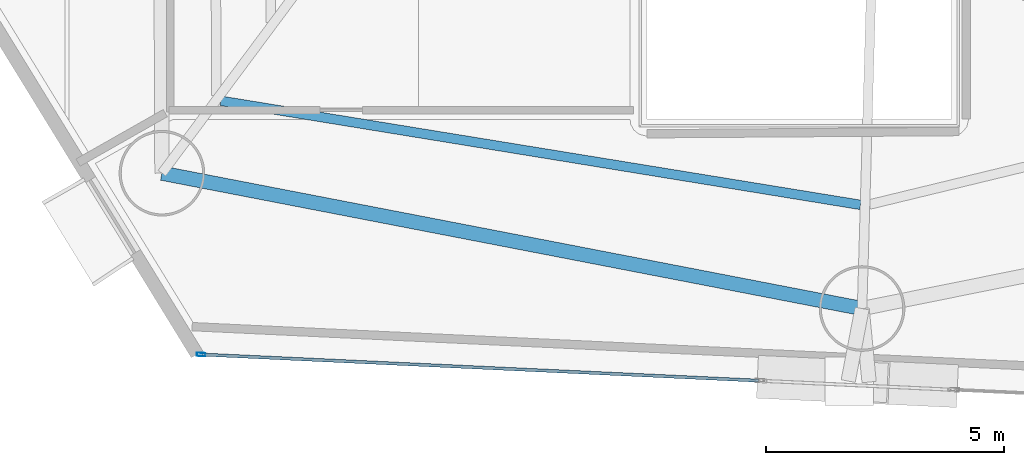
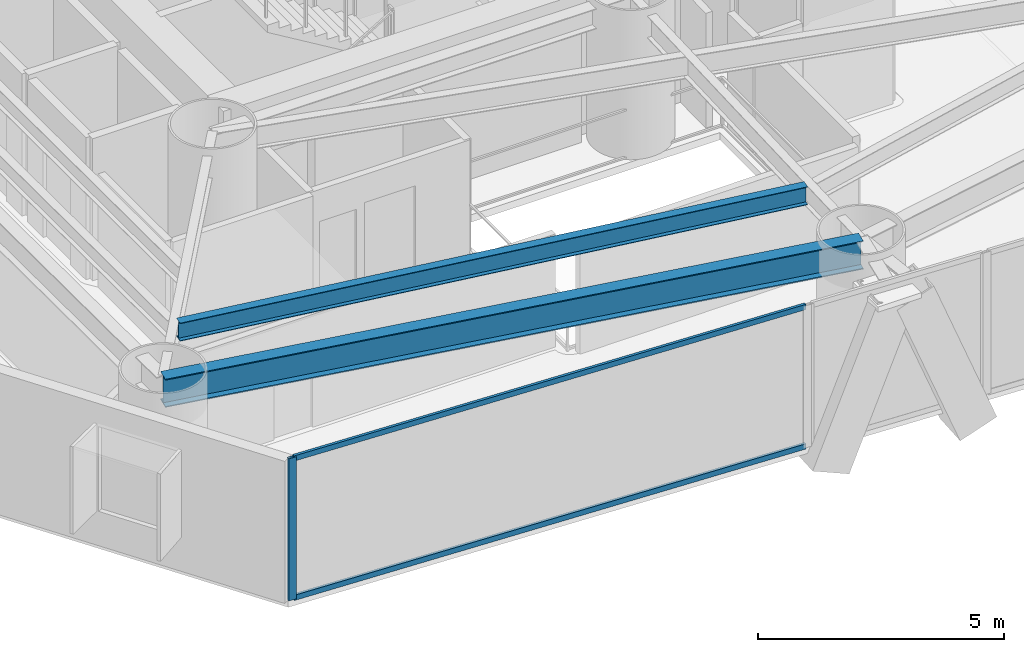
# One storey, part 2 of 23: 3 members, 2 beams, 1 element without a shape of its own.
"""IFC4 building model written with IfcOpenShell, lengths in metres."""

from ifc_helpers import new_model, si_unit, direction, frame, origin, origin_2d, place, context, subcontext, project, spatial, hollow_rectangle, i_section, extrude, material, layer, layer_set, material_profile, profile_set, type_object, element, aggregate, save


model = new_model("IFC4")

# Units and contexts
model_context = context("Model", 3, precision=1e-05, world=origin(), true_north=direction((0.0, 1.0)))
body_context = subcontext(model_context, "Body", "Model", "MODEL_VIEW")
ifc_project = project(units=[si_unit("LENGTHUNIT", "METRE"), si_unit("AREAUNIT", "SQUARE_METRE"), si_unit("VOLUMEUNIT", "CUBIC_METRE"), si_unit("PLANEANGLEUNIT", "RADIAN"), si_unit("MASSUNIT", "GRAM", prefix="KILO")], contexts=[model_context])

# Site, building, storey
site_placement = place(None, origin())
site = spatial("IfcSite", under=ifc_project, at=site_placement, CompositionType="ELEMENT")
building_placement = place(site_placement, origin())
building = spatial("IfcBuilding", under=site, at=building_placement, Name="Qianvela Tower", CompositionType="ELEMENT")
storey_placement = place(building_placement, frame((0.0, 0.0, 29.39990234375)))
storey = spatial("IfcBuildingStorey", under=building, at=storey_placement, Name="L06", CompositionType="ELEMENT", Elevation=29.39990234375)

# Beams
ifc_material_1 = material(Name="Steel Q355B", Category="steel")
ifc_material_profile_1 = material_profile(ifc_material_1, i_section(OverallWidth=0.199951171875, OverallDepth=0.449951171875, WebThickness=0.009033203125, FlangeThickness=0.013916015625, at=origin_2d()), Name="HN450x200x9x14")
ifc_profile_set_1 = profile_set([ifc_material_profile_1], Name="Steel Q355B")
beam_type_1 = type_object("IfcBeamType", Name="BM-HN450-JOIST", PredefinedType="JOIST", material=ifc_profile_set_1)
beam_1_placement = place(storey_placement, frame((24.641845703125, 18.38232421875, 3.293212890625), z_axis=(0.987021609832, -0.160587489316, 0.0), x_axis=(0.160587489316, 0.987021609832, 0.0)))
element("IfcBeam", 1, at=beam_1_placement, inside=storey, type_object=beam_type_1, Name="L06 Secondary Composite Floor Joist 5.3", PredefinedType="JOIST", context=body_context, shape_type="SweptSolid", body=[
    extrude(i_section(OverallWidth=0.199951171875, OverallDepth=0.449951171875, WebThickness=0.009033203125, FlangeThickness=0.013916015625, at=origin_2d()), origin(), (0.0, 0.0, 1.0), 13.621826171875),
])
ifc_material_2 = material(Name="Steel Q355B", Category="steel")
ifc_material_profile_2 = material_profile(ifc_material_2, i_section(OverallWidth=0.300048828125, OverallDepth=0.699951171875, WebThickness=0.012939453125, FlangeThickness=0.02392578125, at=origin_2d()), Name="HN700x300x13x24")
ifc_profile_set_2 = profile_set([ifc_material_profile_2], Name="Steel Q355B")
beam_type_2 = type_object("IfcBeamType", Name="BM-HN700-SPAND", PredefinedType="SPANDREL", material=ifc_profile_set_2)
beam_2_placement = place(storey_placement, frame((23.404052734375, 16.860107421875, 3.168212890625), z_axis=(0.981833040292, -0.189746886646, 0.0), x_axis=(0.189746886646, 0.981833040292, 0.0)))
element("IfcBeam", 2, at=beam_2_placement, inside=storey, type_object=beam_type_2, Name="L06 Perimeter Ring Spandrel Girder 5", PredefinedType="SPANDREL", context=body_context, shape_type="SweptSolid", body=[
    extrude(i_section(OverallWidth=0.300048828125, OverallDepth=0.699951171875, WebThickness=0.012939453125, FlangeThickness=0.02392578125, at=origin_2d()), origin(), (0.0, 0.0, 1.0), 14.98828125),
])

# Curtain wall, members
ifc_material_3 = material(Name="Anodised Architectural Aluminium and Low-E Glass", Category="aluminium")
ifc_layer = layer(ifc_material_3, 0.179931640625)
ifc_layer_set = layer_set([ifc_layer], Name="Anodised Architectural Aluminium and Low-E Glass")
curtain_wall_type = type_object("IfcCurtainWallType", Name="CW-COLIV-Z12", PredefinedType="USERDEFINED", material=ifc_layer_set)
curtain_wall_placement = place(storey_placement, origin())
curtain_wall = element("IfcCurtainWall", 3, at=curtain_wall_placement, inside=storey, type_object=curtain_wall_type, Name="L06 CW-COLIV-Z12 Curtain Wall 06A", ObjectType="CURTAIN_WALL_SYSTEM", PredefinedType="USERDEFINED")
ifc_material_4 = material(Name="Anodised Architectural Aluminium 6063-T6", Category="aluminium")
ifc_material_profile_3 = material_profile(ifc_material_4, hollow_rectangle(XDim=0.070068359375, YDim=0.179931640625, WallThickness=0.0048828125, at=origin_2d()), Name="ALU-MULL-70x180")
ifc_profile_set_3 = profile_set([ifc_material_profile_3], Name="Anodised Architectural Aluminium 6063-T6")
member_type_1 = type_object("IfcMemberType", Name="CW-COLIV-Z12-MULL", PredefinedType="MULLION", material=ifc_profile_set_3)
member_1_placement = place(storey_placement, frame((24.226318359375, 13.050048828125, 0.0), z_axis=(0.0, 0.0, 1.0), x_axis=(0.046880783003, 0.998900491633, 0.0)))
member_1 = element("IfcMember", 4, at=member_1_placement, type_object=member_type_1, Name="CW-3 mullion 1", PredefinedType="MULLION", context=body_context, shape_type="SweptSolid", body=[
    extrude(hollow_rectangle(XDim=0.070068359375, YDim=0.179931640625, WallThickness=0.0048828125, at=origin_2d()), origin(), (0.0, 0.0, 1.0), 3.52001953125),
])
ifc_material_5 = material(Name="Anodised Architectural Aluminium 6063-T6", Category="aluminium")
ifc_material_profile_4 = material_profile(ifc_material_5, hollow_rectangle(XDim=0.06494140625, YDim=0.1298828125, WallThickness=0.00439453125, at=origin_2d()), Name="ALU-TRAN-65x130")
ifc_profile_set_4 = profile_set([ifc_material_profile_4], Name="Anodised Architectural Aluminium 6063-T6")
member_type_2 = type_object("IfcMemberType", Name="CW-COLIV-Z12-TRAN", PredefinedType="USERDEFINED", material=ifc_profile_set_4)
member_2_placement = place(storey_placement, frame((24.26123046875, 13.04833984375, 0.03271484375), z_axis=(0.998900272551, -0.046885450802, 0.0), x_axis=(0.046885450802, 0.998900272551, 0.0)))
member_2 = element("IfcMember", 5, at=member_2_placement, type_object=member_type_2, Name="CW-3 transom 1.1", ObjectType="TRANSOM", PredefinedType="USERDEFINED", context=body_context, shape_type="SweptSolid", body=[
    extrude(hollow_rectangle(XDim=0.06494140625, YDim=0.1298828125, WallThickness=0.00439453125, at=origin_2d()), origin(), (0.0, 0.0, 1.0), 11.690185546875),
])
member_3_placement = place(storey_placement, frame((24.26123046875, 13.04833984375, 3.487548828125), z_axis=(0.998900272551, -0.046885450802, 0.0), x_axis=(0.046885450802, 0.998900272551, 0.0)))
member_3 = element("IfcMember", 6, at=member_3_placement, type_object=member_type_2, Name="CW-3 transom 1.2", ObjectType="TRANSOM", PredefinedType="USERDEFINED", context=body_context, shape_type="SweptSolid", body=[
    extrude(hollow_rectangle(XDim=0.06494140625, YDim=0.1298828125, WallThickness=0.00439453125, at=origin_2d()), origin(), (0.0, 0.0, 1.0), 11.690185546875),
])
aggregate(curtain_wall, [member_1, member_2, member_3])

save(model, "model.ifc")
